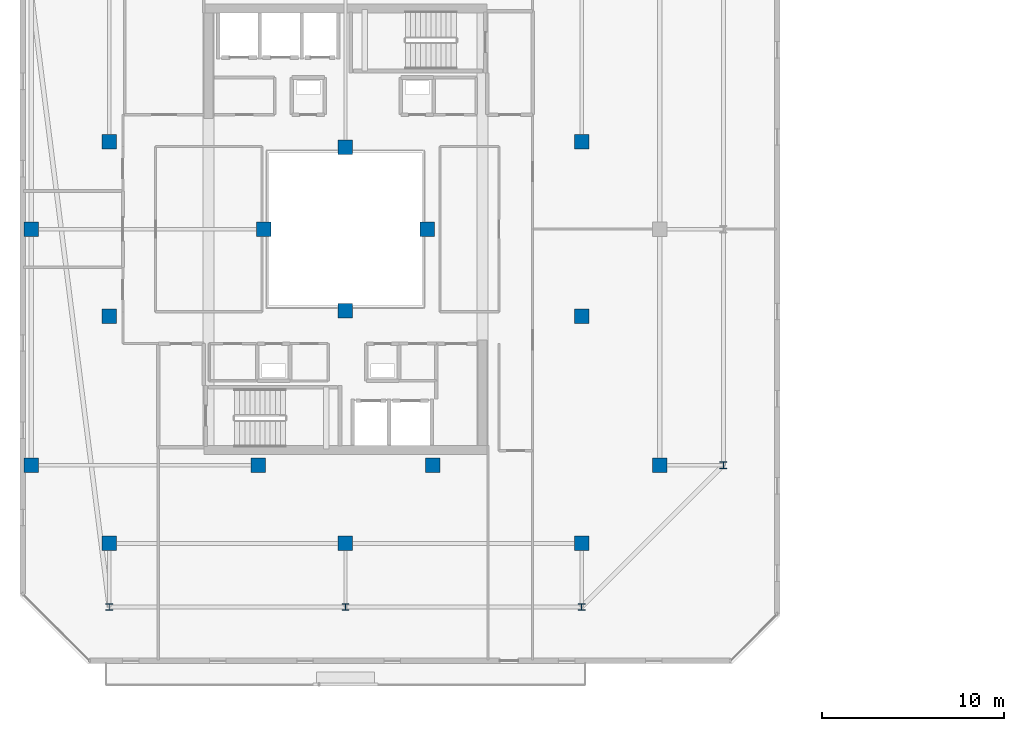
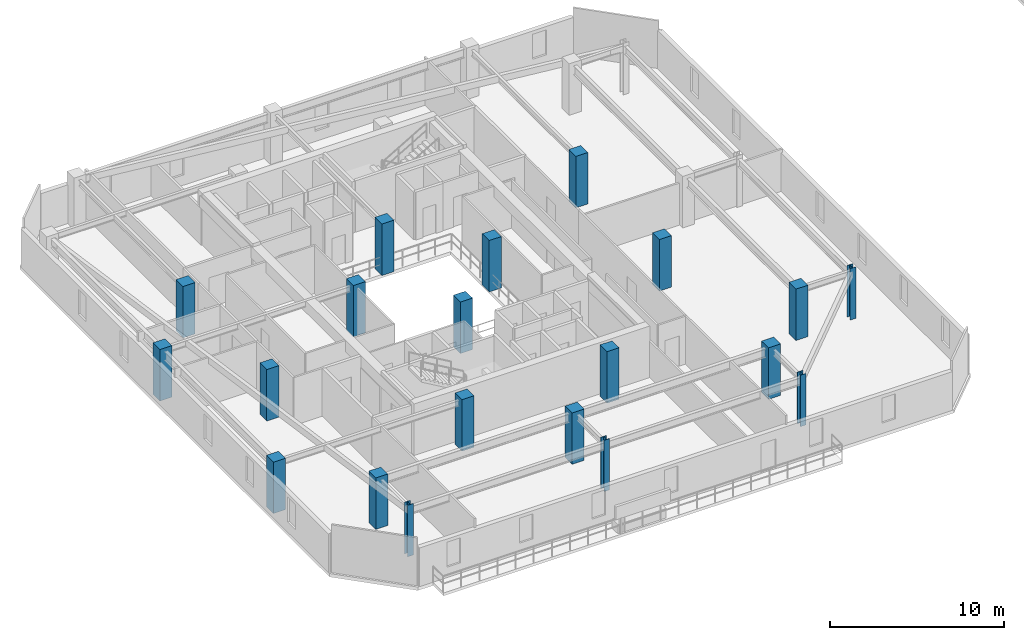
# One storey, part 1 of 34: 20 columns.
"""IFC4 building model written with IfcOpenShell, lengths in metres."""

from ifc_helpers import new_model, si_unit, direction, frame, origin, origin_2d, place, context, subcontext, project, spatial, rectangle, i_section, extrude, material, material_profile, profile_set, type_object, element, save


model = new_model("IFC4")

# Units and contexts
model_context = context("Model", 3, precision=1e-05, world=origin(), true_north=direction((0.0, 1.0)))
body_context = subcontext(model_context, "Body", "Model", "MODEL_VIEW")
ifc_project = project(units=[si_unit("LENGTHUNIT", "METRE"), si_unit("AREAUNIT", "SQUARE_METRE"), si_unit("VOLUMEUNIT", "CUBIC_METRE"), si_unit("PLANEANGLEUNIT", "RADIAN"), si_unit("MASSUNIT", "GRAM", prefix="KILO")], contexts=[model_context])

# Site, building, storey
site_placement = place(None, origin())
site = spatial("IfcSite", under=ifc_project, at=site_placement, CompositionType="ELEMENT")
building_placement = place(site_placement, origin())
building = spatial("IfcBuilding", under=site, at=building_placement, Name="Thornwick Lancets Civic Towers", CompositionType="ELEMENT")
storey_placement = place(building_placement, frame((0.0, 0.0, 261.89990234375)))
storey = spatial("IfcBuildingStorey", under=building, at=storey_placement, Name="L70", CompositionType="ELEMENT", Elevation=261.89990234375)

# Columns
ifc_material_1 = material(Name="Concrete C50/60", Category="concrete")
ifc_material_profile_1 = material_profile(ifc_material_1, rectangle(XDim=0.800048828125, YDim=0.800048828125, at=origin_2d()), Name="RC 800x800")
ifc_profile_set_1 = profile_set([ifc_material_profile_1], Name="Concrete C50/60")
column_type_1 = type_object("IfcColumnType", Name="COL_RC_800", PredefinedType="COLUMN", material=ifc_profile_set_1)
for number, where, z_axis, x_axis, name in (
    (1, (12.5, 9.699951171875, 0.0), (0.0, 0.0, 1.0), (1.0, 0.0, 0.0), "L70 Spine Mega-Column A01"),
    (2, (25.5, 9.699951171875, 0.0), (0.0, 0.0, 1.0), (1.0, 0.0, 0.0), "L70 Spine Mega-Column A02"),
    (3, (38.5, 9.699951171875, 0.0), (0.0, 0.0, 1.0), (1.0, 0.0, 0.0), "L70 Spine Mega-Column A03"),
    (4, (42.800048828125, 14.0, 0.0), (0.0, 0.0, 1.0), (1.0, 0.0, 0.0), "L70 Spine Mega-Column A04"),
    (5, (8.199951171875, 14.0, 0.0), (0.0, 0.0, 1.0), (1.0, 0.0, 0.0), "L70 Spine Mega-Column A10"),
    (6, (8.199951171875, 27.0, 0.0), (0.0, 0.0, 1.0), (1.0, 0.0, 0.0), "L70 Spine Mega-Column A11"),
    (7, (12.5, 22.199951171875, 0.0), (0.0, 0.0, 1.0), (1.0, 0.0, 0.0), "L70 Spine Mega-Column A13"),
    (8, (38.5, 22.199951171875, 0.0), (0.0, 0.0, 1.0), (1.0, 0.0, 0.0), "L70 Spine Mega-Column A14"),
    (9, (12.5, 31.800048828125, 0.0), (0.0, 0.0, 1.0), (1.0, 0.0, 0.0), "L70 Spine Mega-Column A15"),
    (10, (38.5, 31.800048828125, 0.0), (0.0, 0.0, 1.0), (1.0, 0.0, 0.0), "L70 Spine Mega-Column A16"),
    (11, (20.699951171875, 14.0, 0.0), (0.0, 0.0, 1.0), (1.0, 0.0, 0.0), "L70 Spine Mega-Column A17"),
    (12, (30.300048828125, 14.0, 0.0), (0.0, 0.0, 1.0), (1.0, 0.0, 0.0), "L70 Spine Mega-Column A18"),
    (13, (25.5, 22.5, 0.0), (0.0, 0.0, 1.0), (1.0, 0.0, 0.0), "L70 Spine Mega-Column A21"),
    (14, (25.5, 31.5, 0.0), (0.0, 0.0, 1.0), (1.0, 0.0, 0.0), "L70 Spine Mega-Column A22"),
    (15, (21.0, 27.0, 0.0), (0.0, 0.0, 1.0), (1.0, 0.0, 0.0), "L70 Spine Mega-Column A23"),
    (16, (30.0, 27.0, 0.0), (0.0, 0.0, 1.0), (1.0, 0.0, 0.0), "L70 Spine Mega-Column A24"),
):
    element("IfcColumn", number, at=place(storey_placement, frame(where, z_axis=z_axis, x_axis=x_axis)), inside=storey, type_object=column_type_1, Name=name, PredefinedType="COLUMN", context=body_context, shape_type="SweptSolid", body=[
        extrude(rectangle(XDim=0.800048828125, YDim=0.800048828125, at=origin_2d()), origin(), (0.0, 0.0, 1.0), 3.60009765625),
    ])
ifc_material_2 = material(Name="Steel S355JR", Category="steel")
ifc_material_profile_2 = material_profile(ifc_material_2, i_section(OverallWidth=0.374755859375, OverallDepth=0.37451171875, WebThickness=0.0166015625, FlangeThickness=0.027099609375, FilletRadius=0.01513671875, at=origin_2d()), Name="UKC 356x368x202")
ifc_profile_set_2 = profile_set([ifc_material_profile_2], Name="Steel S355JR")
column_type_2 = type_object("IfcColumnType", Name="COL_UKC_202", PredefinedType="COLUMN", material=ifc_profile_set_2)
for number, where, z_axis, x_axis, name in (
    (17, (12.5, 6.199951171875, 0.0), (0.0, 0.0, 1.0), (1.0, 0.0, 0.0), "L70 Block Perimeter Column A01"),
    (18, (25.5, 6.199951171875, 0.0), (0.0, 0.0, 1.0), (1.0, 0.0, 0.0), "L70 Block Perimeter Column A02"),
    (19, (38.5, 6.199951171875, 0.0), (0.0, 0.0, 1.0), (1.0, 0.0, 0.0), "L70 Block Perimeter Column A03"),
    (20, (46.300048828125, 14.0, 0.0), (0.0, 0.0, 1.0), (1.0, 0.0, 0.0), "L70 Block Perimeter Column A04"),
):
    element("IfcColumn", number, at=place(storey_placement, frame(where, z_axis=z_axis, x_axis=x_axis)), inside=storey, type_object=column_type_2, Name=name, PredefinedType="COLUMN", context=body_context, shape_type="SweptSolid", body=[
        extrude(i_section(OverallWidth=0.374755859375, OverallDepth=0.37451171875, WebThickness=0.0166015625, FlangeThickness=0.027099609375, FilletRadius=0.01513671875, at=origin_2d()), origin(), (0.0, 0.0, 1.0), 3.60009765625),
    ])

save(model, "model.ifc")
